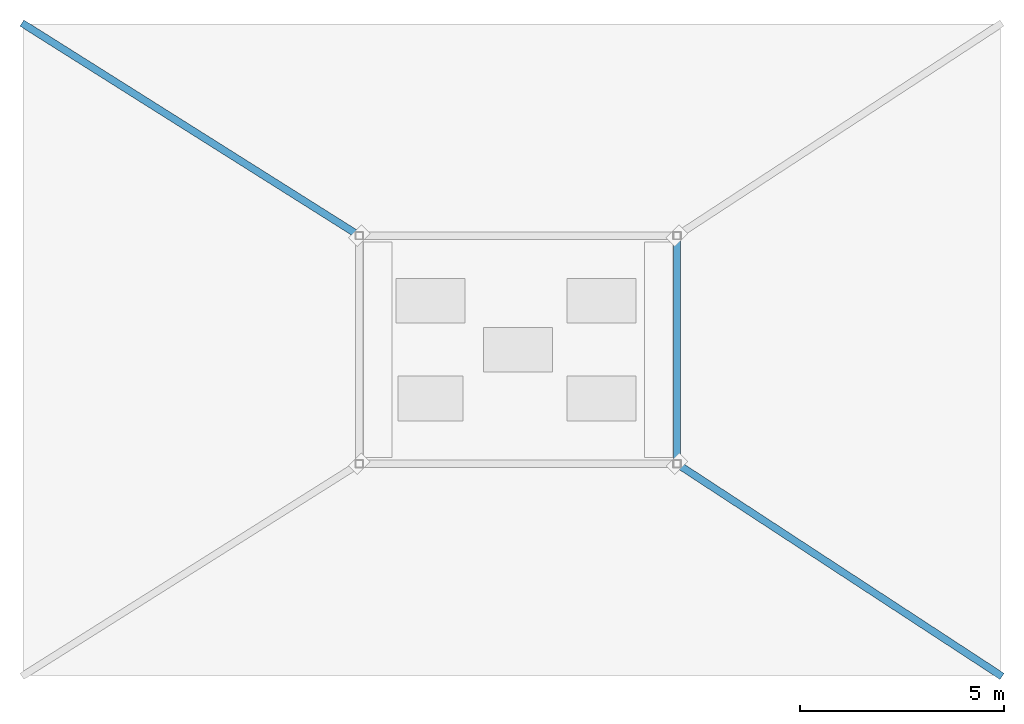
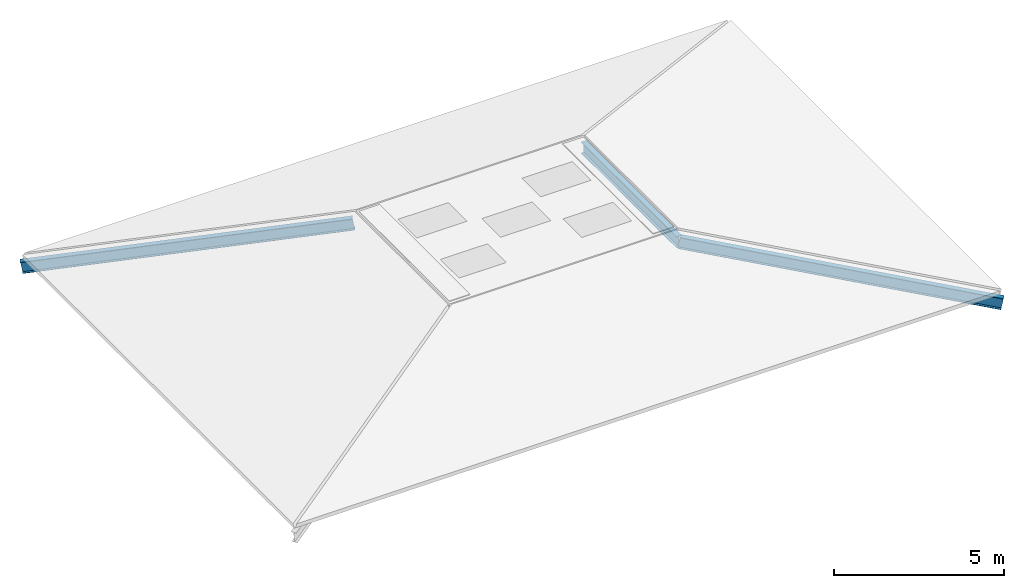
# One storey, part 2 of 5: 3 members.
"""IFC4 building model written with IfcOpenShell, lengths in metres."""

from ifc_helpers import new_model, si_unit, direction, frame, origin, origin_2d, place, context, subcontext, project, spatial, i_section, extrude, material, material_profile, profile_set, type_object, element, save


model = new_model("IFC4")

# Units and contexts
model_context = context("Model", 3, precision=1e-05, world=origin(), true_north=direction((0.0, 1.0)))
body_context = subcontext(model_context, "Body", "Model", "MODEL_VIEW")
ifc_project = project(units=[si_unit("LENGTHUNIT", "METRE"), si_unit("AREAUNIT", "SQUARE_METRE"), si_unit("VOLUMEUNIT", "CUBIC_METRE"), si_unit("PLANEANGLEUNIT", "RADIAN"), si_unit("MASSUNIT", "GRAM", prefix="KILO")], contexts=[model_context])

# Site, building, storey
site_placement = place(None, origin())
site = spatial("IfcSite", under=ifc_project, at=site_placement, CompositionType="ELEMENT")
building_placement = place(site_placement, origin())
building = spatial("IfcBuilding", under=site, at=building_placement, Name="Celadon Cloister-Ring School", CompositionType="ELEMENT")
storey_placement = place(building_placement, frame((0.0, 0.0, 24.5)))
storey = spatial("IfcBuildingStorey", under=building, at=storey_placement, Name="RF", CompositionType="ELEMENT", Elevation=24.5)

# Members
ifc_material_1 = material(Name="Structural steel S355JR", Category="steel")
ifc_material_profile_1 = material_profile(ifc_material_1, i_section(OverallWidth=0.177978515625, OverallDepth=0.406982421875, WebThickness=0.0078125, FlangeThickness=0.0126953125, at=origin_2d()), Name="W410X60")
ifc_profile_set_1 = profile_set([ifc_material_profile_1], Name="Structural steel S355JR")
member_type_1 = type_object("IfcMemberType", Name="MC-05", PredefinedType="CHORD", material=ifc_profile_set_1)
member_1_placement = place(storey_placement, frame((16.050048828125, 45.199951171875, 1.367919921875), z_axis=(0.0, 1.0, 0.0), x_axis=(-1.0, 0.0, 0.0)))
element("IfcMember", 1, at=member_1_placement, inside=storey, type_object=member_type_1, Name="Structural Member 0613", PredefinedType="CHORD", context=body_context, shape_type="SweptSolid", body=[
    extrude(i_section(OverallWidth=0.177978515625, OverallDepth=0.406982421875, WebThickness=0.0078125, FlangeThickness=0.0126953125, at=origin_2d()), origin(), (0.0, 0.0, 1.0), 5.60009765625),
])
ifc_material_2 = material(Name="Structural steel S355JR", Category="steel")
ifc_material_profile_2 = material_profile(ifc_material_2, i_section(OverallWidth=0.177978515625, OverallDepth=0.406982421875, WebThickness=0.0078125, FlangeThickness=0.0126953125, at=origin_2d()), Name="W410X60")
ifc_profile_set_2 = profile_set([ifc_material_profile_2], Name="Structural steel S355JR")
member_type_2 = type_object("IfcMemberType", Name="MR-04", PredefinedType="RAFTER", material=ifc_profile_set_2)
member_2_placement = place(storey_placement, frame((24.0, 40.0, -0.451904296875), z_axis=(-0.82193156195, 0.537613866596, 0.188148446481), x_axis=(-0.547389921061, -0.836877693765, 0.0)))
element("IfcMember", 2, at=member_2_placement, inside=storey, type_object=member_type_2, Name="Structural Member 0617", PredefinedType="RAFTER", context=body_context, shape_type="SweptSolid", body=[
    extrude(i_section(OverallWidth=0.177978515625, OverallDepth=0.406982421875, WebThickness=0.0078125, FlangeThickness=0.0126953125, at=origin_2d()), origin(), (0.0, 0.0, 1.0), 9.67236328125),
])
member_3_placement = place(storey_placement, frame((0.0, 56.0, -0.451904296875), z_axis=(0.831622159303, -0.52416904507, 0.183443169254), x_axis=(0.533217578479, 0.84597814038, 0.0)))
element("IfcMember", 3, at=member_3_placement, inside=storey, type_object=member_type_2, Name="Structural Member 0619", PredefinedType="RAFTER", context=body_context, shape_type="SweptSolid", body=[
    extrude(i_section(OverallWidth=0.177978515625, OverallDepth=0.406982421875, WebThickness=0.0078125, FlangeThickness=0.0126953125, at=origin_2d()), origin(), (0.0, 0.0, 1.0), 9.92041015625),
])

save(model, "model.ifc")
